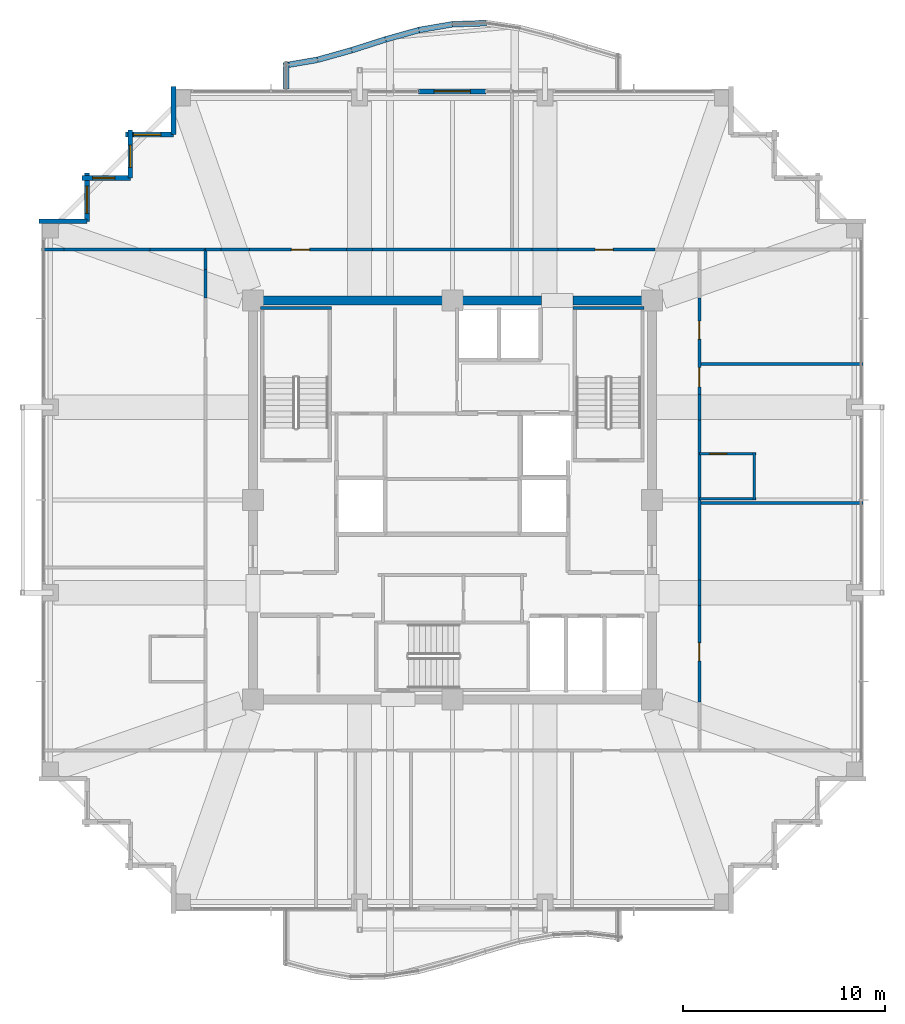
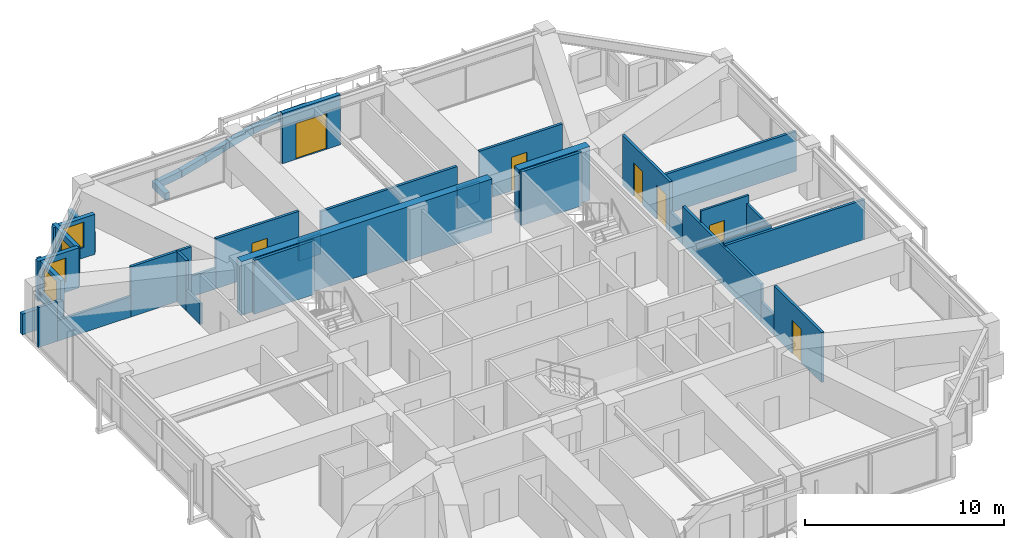
# One storey, part 34 of 37: 40 walls, 7 doors, 4 windows, 11 openings.
"""IFC4 building model written with IfcOpenShell, lengths in metres."""

from ifc_helpers import new_model, si_unit, direction, frame, frame_2d, origin, place, context, subcontext, project, spatial, rectangle, extrude, material, layer, layer_set, type_object, element, fill, save


model = new_model("IFC4")

# Units and contexts
model_context = context("Model", 3, precision=1e-05, world=origin(), true_north=direction((0.0, 1.0)))
body_context = subcontext(model_context, "Body", "Model", "MODEL_VIEW")
ifc_project = project(units=[si_unit("LENGTHUNIT", "METRE"), si_unit("AREAUNIT", "SQUARE_METRE"), si_unit("VOLUMEUNIT", "CUBIC_METRE"), si_unit("PLANEANGLEUNIT", "RADIAN"), si_unit("MASSUNIT", "GRAM", prefix="KILO")], contexts=[model_context])

# Site, building, storey
site_placement = place(None, origin())
site = spatial("IfcSite", under=ifc_project, at=site_placement, CompositionType="ELEMENT")
building_placement = place(site_placement, origin())
building = spatial("IfcBuilding", under=site, at=building_placement, Name="Kolvaren Belvedere", CompositionType="ELEMENT")
storey_placement = place(building_placement, frame((0.0, 0.0, 219.60009765625)))
storey = spatial("IfcBuildingStorey", under=building, at=storey_placement, Name="L64", CompositionType="ELEMENT", Elevation=219.60009765625)

# Walls
ifc_material_1 = material(Name="Concrete C50/60", Category="concrete")
ifc_layer_1 = layer(ifc_material_1, 0.449951171875)
ifc_layer_set_1 = layer_set([ifc_layer_1], Name="Concrete C50/60")
wall_type_1 = type_object("IfcWallType", Name="CW-CORE-450", PredefinedType="SHEAR", material=ifc_layer_set_1)
wall_1_placement = place(storey_placement, frame((-10.125, 9.89990234375, 0.0), z_axis=(0.0, 0.0, 1.0), x_axis=(1.0, 0.0, 0.0)))
element("IfcWall", 1, at=wall_1_placement, inside=storey, type_object=wall_type_1, Name="L64 North Core Shear Wall 1", PredefinedType="SHEAR", context=body_context, shape_type="SweptSolid", body=[
    extrude(rectangle(XDim=14.544921875, YDim=0.449951171875, at=frame_2d((7.2724609375, 0.0))), origin(), (0.0, 0.0, 1.0), 3.2998046875),
])
wall_2_placement = place(storey_placement, frame((5.97998046875, 9.89990234375, 0.0), z_axis=(0.0, 0.0, 1.0), x_axis=(1.0, 0.0, 0.0)))
element("IfcWall", 2, at=wall_2_placement, inside=storey, type_object=wall_type_1, Name="L64 North Core Shear Wall 2", PredefinedType="SHEAR", context=body_context, shape_type="SweptSolid", body=[
    extrude(rectangle(XDim=4.14501953125, YDim=0.449951171875, at=frame_2d((2.072509765625, 0.0))), origin(), (0.0, 0.0, 1.0), 3.2998046875),
])
ifc_material_2 = material(Name="Concrete C50/60", Category="concrete")
ifc_layer_2 = layer(ifc_material_2, 0.159912109375)
ifc_layer_set_2 = layer_set([ifc_layer_2], Name="Concrete C50/60")
wall_type_2 = type_object("IfcWallType", Name="CW-STAIR-160", PredefinedType="SHEAR", material=ifc_layer_set_2)
for number, where, z_axis, x_axis, name in (
    (3, (-9.52001953125, 9.530029296875, 0.0), (0.0, 0.0, 1.0), (1.0, 0.0, 0.0), "L64 Stair ST-1 North Shear Wall"),
    (4, (6.0, 9.530029296875, 0.0), (0.0, 0.0, 1.0), (1.0, 0.0, 0.0), "L64 Stair ST-2 North Shear Wall"),
):
    element("IfcWall", number, at=place(storey_placement, frame(where, z_axis=z_axis, x_axis=x_axis)), inside=storey, type_object=wall_type_2, Name=name, PredefinedType="SHEAR", context=body_context, shape_type="SweptSolid", body=[
        extrude(rectangle(XDim=3.52001953125, YDim=0.159912109375, at=frame_2d((1.760009765625, 0.0))), origin(), (0.0, 0.0, 1.0), 3.2998046875),
    ])
ifc_material_3 = material(Name="Gypsum fire-rated partition assembly", Category="gypsum")
ifc_layer_3 = layer(ifc_material_3, 0.14990234375)
ifc_layer_set_3 = layer_set([ifc_layer_3], Name="Gypsum fire-rated partition assembly")
wall_type_3 = type_object("IfcWallType", Name="WL-CORR-150", PredefinedType="PARTITIONING", material=ifc_layer_set_3)
wall_3_placement = place(storey_placement, frame((-12.260009765625, 12.419921875, 0.0), z_axis=(0.0, 0.0, 1.0), x_axis=(1.0, 0.0, 0.0)))
element("IfcWall", 5, at=wall_3_placement, inside=storey, type_object=wall_type_3, Name="L64 North Corridor Wall", PredefinedType="PARTITIONING", context=body_context, shape_type="SweptSolid", body=[
    extrude(rectangle(XDim=0.77392578125, YDim=0.14990234375, at=frame_2d((0.386962890625, 0.0))), origin(), (0.0, 0.0, 1.0), 3.079833984375),
])
wall_4_placement = place(storey_placement, frame((-11.486083984375, 12.419921875, 0.0), z_axis=(0.0, 0.0, 1.0), x_axis=(1.0, 0.0, 0.0)))
element("IfcWall", 6, at=wall_4_placement, inside=storey, type_object=wall_type_3, Name="L64 North Corridor Wall", PredefinedType="PARTITIONING", context=body_context, shape_type="SweptSolid", body=[
    extrude(rectangle(XDim=1.416748046875, YDim=0.14990234375, at=frame_2d((0.70849609375, 0.0))), origin(), (0.0, 0.0, 1.0), 1.264892578125),
])

# Wall, opening, door
wall_5_placement = place(storey_placement, frame((-10.0693359375, 12.419921875, 0.0), z_axis=(0.0, 0.0, 1.0), x_axis=(1.0, 0.0, 0.0)))
wall_5 = element("IfcWall", 7, at=wall_5_placement, inside=storey, type_object=wall_type_3, Name="L64 North Corridor Wall", PredefinedType="PARTITIONING", context=body_context, shape_type="SweptSolid", body=[
    extrude(rectangle(XDim=4.827392578125, YDim=0.14990234375, at=frame_2d((2.41357421875, 0.0))), origin(), (0.0, 0.0, 1.0), 3.079833984375),
])
opening_1_placement = place(wall_5_placement, frame((2.084228515625, 0.0, 0.0)))
opening_1 = element("IfcOpeningElement", 8, at=opening_1_placement, cuts=wall_5, Name="Opening D-INT90", PredefinedType="OPENING", context=body_context, shape_type="SweptSolid", body=[
    extrude(rectangle(XDim=0.89990234375, YDim=2.06005859375, at=frame_2d((0.449951171875, 1.030029296875))), frame((0.0, 0.0849609375, 0.0), z_axis=(0.0, -1.0, 0.0), x_axis=(1.0, 0.0, 0.0)), (0.0, 0.0, 1.0), 0.169921875),
])
ifc_material_4 = material(Name="Stained Pacific white oak", Category="timber")
door_type_1 = type_object("IfcDoorType", Name="DR-INT-900", OperationType="NOTDEFINED", PredefinedType="DOOR", material=ifc_material_4)
door_1_placement = place(opening_1_placement, origin())
door_1 = element("IfcDoor", 9, at=door_1_placement, inside=storey, type_object=door_type_1, Name="L64 Lounge 6409 Door", OperationType="SINGLE_SWING_LEFT", OverallHeight=2.06005859375, OverallWidth=0.89990234375, PredefinedType="DOOR", context=body_context, shape_type="SweptSolid", body=[
    extrude(rectangle(XDim=0.89990234375, YDim=2.06005859375, at=frame_2d((0.449951171875, 1.030029296875))), frame((0.0, 0.02490234375, 0.0), z_axis=(0.0, -1.0, 0.0), x_axis=(1.0, 0.0, 0.0)), (0.0, 0.0, 1.0), 0.050048828125),
])
fill(opening_1, door_1)

# Walls
wall_6_placement = place(storey_placement, frame((-5.241943359375, 12.419921875, 0.0), z_axis=(0.0, 0.0, 1.0), x_axis=(1.0, 0.0, 0.0)))
element("IfcWall", 10, at=wall_6_placement, inside=storey, type_object=wall_type_3, Name="L64 North Corridor Wall", PredefinedType="PARTITIONING", context=body_context, shape_type="SweptSolid", body=[
    extrude(rectangle(XDim=1.283935546875, YDim=0.14990234375, at=frame_2d((0.64208984375, 0.0))), origin(), (0.0, 0.0, 1.0), 1.264892578125),
])
wall_7_placement = place(storey_placement, frame((-3.9580078125, 12.419921875, 0.0), z_axis=(0.0, 0.0, 1.0), x_axis=(1.0, 0.0, 0.0)))
element("IfcWall", 11, at=wall_7_placement, inside=storey, type_object=wall_type_3, Name="L64 North Corridor Wall", PredefinedType="PARTITIONING", context=body_context, shape_type="SweptSolid", body=[
    extrude(rectangle(XDim=7.916015625, YDim=0.14990234375, at=frame_2d((3.9580078125, 0.0))), origin(), (0.0, 0.0, 1.0), 2.60498046875),
])
wall_8_placement = place(storey_placement, frame((3.9580078125, 12.419921875, 0.0), z_axis=(0.0, 0.0, 1.0), x_axis=(1.0, 0.0, 0.0)))
element("IfcWall", 12, at=wall_8_placement, inside=storey, type_object=wall_type_3, Name="L64 North Corridor Wall", PredefinedType="PARTITIONING", context=body_context, shape_type="SweptSolid", body=[
    extrude(rectangle(XDim=1.283935546875, YDim=0.14990234375, at=frame_2d((0.64208984375, 0.0))), origin(), (0.0, 0.0, 1.0), 1.264892578125),
])

# Wall, opening, door
wall_9_placement = place(storey_placement, frame((5.241943359375, 12.419921875, 0.0), z_axis=(0.0, 0.0, 1.0), x_axis=(1.0, 0.0, 0.0)))
wall_9 = element("IfcWall", 13, at=wall_9_placement, inside=storey, type_object=wall_type_3, Name="L64 North Corridor Wall", PredefinedType="PARTITIONING", context=body_context, shape_type="SweptSolid", body=[
    extrude(rectangle(XDim=4.827392578125, YDim=0.14990234375, at=frame_2d((2.41357421875, 0.0))), origin(), (0.0, 0.0, 1.0), 3.079833984375),
])
opening_2_placement = place(wall_9_placement, frame((1.843017578125, 0.0, 0.0)))
opening_2 = element("IfcOpeningElement", 14, at=opening_2_placement, cuts=wall_9, Name="Opening D-INT90", PredefinedType="OPENING", context=body_context, shape_type="SweptSolid", body=[
    extrude(rectangle(XDim=0.89990234375, YDim=2.06005859375, at=frame_2d((0.449951171875, 1.030029296875))), frame((0.0, 0.0849609375, 0.0), z_axis=(0.0, -1.0, 0.0), x_axis=(1.0, 0.0, 0.0)), (0.0, 0.0, 1.0), 0.169921875),
])
door_2_placement = place(opening_2_placement, origin())
door_2 = element("IfcDoor", 15, at=door_2_placement, inside=storey, type_object=door_type_1, Name="L64 Lounge 6410 Door", OperationType="SINGLE_SWING_RIGHT", OverallHeight=2.06005859375, OverallWidth=0.89990234375, PredefinedType="DOOR", context=body_context, shape_type="SweptSolid", body=[
    extrude(rectangle(XDim=0.89990234375, YDim=2.06005859375, at=frame_2d((0.449951171875, 1.030029296875))), frame((0.0, 0.02490234375, 0.0), z_axis=(0.0, -1.0, 0.0), x_axis=(1.0, 0.0, 0.0)), (0.0, 0.0, 1.0), 0.050048828125),
])
fill(opening_2, door_2)

# Walls
wall_10_placement = place(storey_placement, frame((-12.260009765625, 10.013671875, 0.0), z_axis=(0.0, 0.0, 1.0), x_axis=(0.0, 1.0, 0.0)))
element("IfcWall", 16, at=wall_10_placement, inside=storey, type_object=wall_type_3, Name="L64 West Corridor Wall", PredefinedType="PARTITIONING", context=body_context, shape_type="SweptSolid", body=[
    extrude(rectangle(XDim=1.416748046875, YDim=0.14990234375, at=frame_2d((0.70849609375, 0.0))), origin(), (0.0, 0.0, 1.0), 1.264892578125),
])
wall_11_placement = place(storey_placement, frame((-12.260009765625, 11.430419921875, 0.0), z_axis=(0.0, 0.0, 1.0), x_axis=(0.0, 1.0, 0.0)))
element("IfcWall", 17, at=wall_11_placement, inside=storey, type_object=wall_type_3, Name="L64 West Corridor Wall", PredefinedType="PARTITIONING", context=body_context, shape_type="SweptSolid", body=[
    extrude(rectangle(XDim=0.989501953125, YDim=0.14990234375, at=frame_2d((0.49462890625, 0.0))), origin(), (0.0, 0.0, 1.0), 3.079833984375),
])

# Wall, opening, door
wall_12_placement = place(storey_placement, frame((12.260009765625, -10.013671875, 0.0), z_axis=(0.0, 0.0, 1.0), x_axis=(0.0, 1.0, 0.0)))
wall_12 = element("IfcWall", 18, at=wall_12_placement, inside=storey, type_object=wall_type_3, Name="L64 East Corridor Wall", PredefinedType="PARTITIONING", context=body_context, shape_type="SweptSolid", body=[
    extrude(rectangle(XDim=4.771728515625, YDim=0.14990234375, at=frame_2d((2.3857421875, 0.0))), origin(), (0.0, 0.0, 1.0), 3.079833984375),
])
opening_3_placement = place(wall_12_placement, frame((2.028564453125, 0.0, 0.0)))
opening_3 = element("IfcOpeningElement", 19, at=opening_3_placement, cuts=wall_12, Name="Opening D-INT90", PredefinedType="OPENING", context=body_context, shape_type="SweptSolid", body=[
    extrude(rectangle(XDim=0.89990234375, YDim=2.06005859375, at=frame_2d((0.449951171875, 1.030029296875))), frame((0.0, 0.0849609375, 0.0), z_axis=(0.0, -1.0, 0.0), x_axis=(1.0, 0.0, 0.0)), (0.0, 0.0, 1.0), 0.169921875),
])
door_3_placement = place(opening_3_placement, origin())
door_3 = element("IfcDoor", 20, at=door_3_placement, inside=storey, type_object=door_type_1, Name="L64 Lounge 6404 Door", OperationType="SINGLE_SWING_RIGHT", OverallHeight=2.06005859375, OverallWidth=0.89990234375, PredefinedType="DOOR", context=body_context, shape_type="SweptSolid", body=[
    extrude(rectangle(XDim=0.89990234375, YDim=2.06005859375, at=frame_2d((0.449951171875, 1.030029296875))), frame((0.0, 0.02490234375, 0.0), z_axis=(0.0, -1.0, 0.0), x_axis=(1.0, 0.0, 0.0)), (0.0, 0.0, 1.0), 0.050048828125),
])
fill(opening_3, door_3)

# Walls
wall_13_placement = place(storey_placement, frame((12.260009765625, -5.241943359375, 0.0), z_axis=(0.0, 0.0, 1.0), x_axis=(0.0, 1.0, 0.0)))
element("IfcWall", 21, at=wall_13_placement, inside=storey, type_object=wall_type_3, Name="L64 East Corridor Wall", PredefinedType="PARTITIONING", context=body_context, shape_type="SweptSolid", body=[
    extrude(rectangle(XDim=1.283935546875, YDim=0.14990234375, at=frame_2d((0.64208984375, 0.0))), origin(), (0.0, 0.0, 1.0), 1.264892578125),
])
wall_14_placement = place(storey_placement, frame((12.260009765625, -3.9580078125, 0.0), z_axis=(0.0, 0.0, 1.0), x_axis=(0.0, 1.0, 0.0)))
element("IfcWall", 22, at=wall_14_placement, inside=storey, type_object=wall_type_3, Name="L64 East Corridor Wall", PredefinedType="PARTITIONING", context=body_context, shape_type="SweptSolid", body=[
    extrude(rectangle(XDim=7.916015625, YDim=0.14990234375, at=frame_2d((3.9580078125, 0.0))), origin(), (0.0, 0.0, 1.0), 2.368896484375),
])
wall_15_placement = place(storey_placement, frame((12.260009765625, 3.9580078125, 0.0), z_axis=(0.0, 0.0, 1.0), x_axis=(0.0, 1.0, 0.0)))
element("IfcWall", 23, at=wall_15_placement, inside=storey, type_object=wall_type_3, Name="L64 East Corridor Wall", PredefinedType="PARTITIONING", context=body_context, shape_type="SweptSolid", body=[
    extrude(rectangle(XDim=1.283935546875, YDim=0.14990234375, at=frame_2d((0.64208984375, 0.0))), origin(), (0.0, 0.0, 1.0), 1.264892578125),
])

# Wall, openings, doors
wall_16_placement = place(storey_placement, frame((12.260009765625, 5.241943359375, 0.0), z_axis=(0.0, 0.0, 1.0), x_axis=(0.0, 1.0, 0.0)))
wall_16 = element("IfcWall", 24, at=wall_16_placement, inside=storey, type_object=wall_type_3, Name="L64 East Corridor Wall", PredefinedType="PARTITIONING", context=body_context, shape_type="SweptSolid", body=[
    extrude(rectangle(XDim=4.771728515625, YDim=0.14990234375, at=frame_2d((2.3857421875, 0.0))), origin(), (0.0, 0.0, 1.0), 3.079833984375),
])
opening_4_placement = place(wall_16_placement, frame((0.376220703125, 0.0, 0.0)))
opening_4 = element("IfcOpeningElement", 25, at=opening_4_placement, cuts=wall_16, Name="Opening D-FD60", PredefinedType="OPENING", context=body_context, shape_type="SweptSolid", body=[
    extrude(rectangle(XDim=0.949951171875, YDim=2.06005859375, at=frame_2d((0.47509765625, 1.030029296875))), frame((0.0, 0.0849609375, 0.0), z_axis=(0.0, -1.0, 0.0), x_axis=(1.0, 0.0, 0.0)), (0.0, 0.0, 1.0), 0.169921875),
])
opening_5_placement = place(wall_16_placement, frame((2.736083984375, 0.0, 0.0)))
opening_5 = element("IfcOpeningElement", 26, at=opening_5_placement, cuts=wall_16, Name="Opening D-INT90", PredefinedType="OPENING", context=body_context, shape_type="SweptSolid", body=[
    extrude(rectangle(XDim=0.89990234375, YDim=2.06005859375, at=frame_2d((0.449951171875, 1.030029296875))), frame((0.0, 0.0849609375, 0.0), z_axis=(0.0, -1.0, 0.0), x_axis=(1.0, 0.0, 0.0)), (0.0, 0.0, 1.0), 0.169921875),
])
ifc_material_5 = material(Name="Acoustic white-oak fire door leaf", Category="timber")
door_type_2 = type_object("IfcDoorType", Name="DR-FD60-950", OperationType="NOTDEFINED", PredefinedType="DOOR", material=ifc_material_5)
door_4_placement = place(opening_4_placement, origin())
door_4 = element("IfcDoor", 27, at=door_4_placement, inside=storey, type_object=door_type_2, Name="L64 King Guest Room 6405 Entry Door", OperationType="SINGLE_SWING_RIGHT", OverallHeight=2.06005859375, OverallWidth=0.949951171875, PredefinedType="DOOR", context=body_context, shape_type="SweptSolid", body=[
    extrude(rectangle(XDim=0.949951171875, YDim=2.06005859375, at=frame_2d((0.47509765625, 1.030029296875))), frame((0.0, 0.02490234375, 0.0), z_axis=(0.0, -1.0, 0.0), x_axis=(1.0, 0.0, 0.0)), (0.0, 0.0, 1.0), 0.050048828125),
])
fill(opening_4, door_4)
door_5_placement = place(opening_5_placement, origin())
door_5 = element("IfcDoor", 28, at=door_5_placement, inside=storey, type_object=door_type_1, Name="L64 Lounge 6406 Door", OperationType="SINGLE_SWING_LEFT", OverallHeight=2.06005859375, OverallWidth=0.89990234375, PredefinedType="DOOR", context=body_context, shape_type="SweptSolid", body=[
    extrude(rectangle(XDim=0.89990234375, YDim=2.06005859375, at=frame_2d((0.449951171875, 1.030029296875))), frame((0.0, 0.02490234375, 0.0), z_axis=(0.0, -1.0, 0.0), x_axis=(1.0, 0.0, 0.0)), (0.0, 0.0, 1.0), 0.050048828125),
])
fill(opening_5, door_5)

# Wall, opening, door
ifc_material_6 = material(Name="Insulated pale-metal facade wall assembly", Category="aluminium")
ifc_layer_4 = layer(ifc_material_6, 0.239990234375)
ifc_layer_set_4 = layer_set([ifc_layer_4], Name="Insulated pale-metal facade wall assembly")
wall_type_4 = type_object("IfcWallType", Name="WL-EXT-240", PredefinedType="STANDARD", material=ifc_layer_set_4)
wall_17_placement = place(storey_placement, frame((-1.679931640625, 20.280029296875, 0.0), z_axis=(0.0, 0.0, 1.0), x_axis=(1.0, 0.0, 0.0)))
wall_17 = element("IfcWall", 29, at=wall_17_placement, inside=storey, type_object=wall_type_4, Name="L64 North Terrace Portal Wall", PredefinedType="STANDARD", context=body_context, shape_type="SweptSolid", body=[
    extrude(rectangle(XDim=3.35986328125, YDim=0.239990234375, at=frame_2d((1.679931640625, 0.0))), origin(), (0.0, 0.0, 1.0), 3.079833984375),
])
opening_6_placement = place(wall_17_placement, frame((0.780029296875, 0.0, 0.0)))
opening_6 = element("IfcOpeningElement", 30, at=opening_6_placement, cuts=wall_17, Name="Opening DB-1800", PredefinedType="OPENING", context=body_context, shape_type="SweptSolid", body=[
    extrude(rectangle(XDim=1.800048828125, YDim=2.199951171875, at=frame_2d((0.89990234375, 1.10009765625))), frame((0.0, 0.1298828125, 0.0), z_axis=(0.0, -1.0, 0.0), x_axis=(1.0, 0.0, 0.0)), (0.0, 0.0, 1.0), 0.260009765625),
])
ifc_material_7 = material(Name="Thermally broken pale-metal aluminium & low-iron glass", Category="aluminium")
door_type_3 = type_object("IfcDoorType", Name="DR-BAL-1800", OperationType="DOUBLE_DOOR_SLIDING", PredefinedType="DOOR", material=ifc_material_7)
door_6_placement = place(opening_6_placement, origin())
door_6 = element("IfcDoor", 31, at=door_6_placement, inside=storey, type_object=door_type_3, Name="L64 North Planted Terrace Sliding Door", OperationType="DOUBLE_DOOR_SLIDING", OverallHeight=2.199951171875, OverallWidth=1.800048828125, PredefinedType="DOOR", context=body_context, shape_type="SweptSolid", body=[
    extrude(rectangle(XDim=1.800048828125, YDim=2.199951171875, at=frame_2d((0.89990234375, 1.10009765625))), frame((0.0, 0.02490234375, 0.0), z_axis=(0.0, -1.0, 0.0), x_axis=(1.0, 0.0, 0.0)), (0.0, 0.0, 1.0), 0.050048828125),
])
fill(opening_6, door_6)

# Wall
wall_18_placement = place(storey_placement, frame((-13.830078125, 18.1298828125, 0.0), z_axis=(0.0, 0.0, 1.0), x_axis=(0.0, 1.0, 0.0)))
element("IfcWall", 32, at=wall_18_placement, inside=storey, type_object=wall_type_4, Name="L64 Serrated Corner Facade Wall 16", PredefinedType="STANDARD", context=body_context, shape_type="SweptSolid", body=[
    extrude(rectangle(XDim=2.39013671875, YDim=0.239990234375, at=frame_2d((1.195068359375, 0.0))), origin(), (0.0, 0.0, 1.0), 1.27490234375),
])

# Wall, opening, window
wall_19_placement = place(storey_placement, frame((-16.219970703125, 18.1298828125, 0.0), z_axis=(0.0, 0.0, 1.0), x_axis=(1.0, 0.0, 0.0)))
wall_19 = element("IfcWall", 33, at=wall_19_placement, inside=storey, type_object=wall_type_4, Name="L64 Serrated Corner Facade Wall 17", PredefinedType="STANDARD", context=body_context, shape_type="SweptSolid", body=[
    extrude(rectangle(XDim=2.389892578125, YDim=0.239990234375, at=frame_2d((1.19482421875, 0.0))), origin(), (0.0, 0.0, 1.0), 2.462890625),
])
opening_7_placement = place(wall_19_placement, frame((0.39990234375, 0.0, 0.64990234375)))
opening_7 = element("IfcOpeningElement", 34, at=opening_7_placement, cuts=wall_19, Name="Opening W-1350", PredefinedType="OPENING", context=body_context, shape_type="SweptSolid", body=[
    extrude(rectangle(XDim=1.35009765625, YDim=1.550048828125, at=frame_2d((0.675048828125, 0.77490234375))), frame((0.0, 0.1298828125, 0.0), z_axis=(0.0, -1.0, 0.0), x_axis=(1.0, 0.0, 0.0)), (0.0, 0.0, 1.0), 0.260009765625),
])
ifc_material_8 = material(Name="Low-iron triple insulated glass", Category="glass")
window_type_1 = type_object("IfcWindowType", Name="WN-CORN-1350", PartitioningType="SINGLE_PANEL", PredefinedType="WINDOW", material=ifc_material_8)
window_1_placement = place(opening_7_placement, origin())
window_1 = element("IfcWindow", 35, at=window_1_placement, inside=storey, type_object=window_type_1, Name="L64 Serrated Corner Vision Window 17", OverallHeight=1.550048828125, OverallWidth=1.35009765625, PartitioningType="SINGLE_PANEL", PredefinedType="WINDOW", context=body_context, shape_type="SweptSolid", body=[
    extrude(rectangle(XDim=1.35009765625, YDim=1.550048828125, at=frame_2d((0.675048828125, 0.77490234375))), frame((0.0, 0.030029296875, 0.0), z_axis=(0.0, -1.0, 0.0), x_axis=(1.0, 0.0, 0.0)), (0.0, 0.0, 1.0), 0.06005859375),
])
fill(opening_7, window_1)

wall_20_placement = place(storey_placement, frame((-15.97998046875, 15.97998046875, 0.0), z_axis=(0.0, 0.0, 1.0), x_axis=(0.0, 1.0, 0.0)))
wall_20 = element("IfcWall", 36, at=wall_20_placement, inside=storey, type_object=wall_type_4, Name="L64 Serrated Corner Facade Wall 18", PredefinedType="STANDARD", context=body_context, shape_type="SweptSolid", body=[
    extrude(rectangle(XDim=2.39013671875, YDim=0.239990234375, at=frame_2d((1.195068359375, 0.0))), origin(), (0.0, 0.0, 1.0), 2.462890625),
])
opening_8_placement = place(wall_20_placement, frame((0.52490234375, 0.0, 0.64990234375)))
opening_8 = element("IfcOpeningElement", 37, at=opening_8_placement, cuts=wall_20, Name="Opening W-1100", PredefinedType="OPENING", context=body_context, shape_type="SweptSolid", body=[
    extrude(rectangle(XDim=1.10009765625, YDim=1.449951171875, at=frame_2d((0.550048828125, 0.72509765625))), frame((0.0, 0.1298828125, 0.0), z_axis=(0.0, -1.0, 0.0), x_axis=(1.0, 0.0, 0.0)), (0.0, 0.0, 1.0), 0.260009765625),
])
ifc_material_9 = material(Name="Low-iron triple insulated glass", Category="glass")
window_type_2 = type_object("IfcWindowType", Name="WN-CORN-1100", PartitioningType="SINGLE_PANEL", PredefinedType="WINDOW", material=ifc_material_9)
window_2_placement = place(opening_8_placement, origin())
window_2 = element("IfcWindow", 38, at=window_2_placement, inside=storey, type_object=window_type_2, Name="L64 Serrated Corner Vision Window 18", OverallHeight=1.449951171875, OverallWidth=1.10009765625, PartitioningType="SINGLE_PANEL", PredefinedType="WINDOW", context=body_context, shape_type="SweptSolid", body=[
    extrude(rectangle(XDim=1.10009765625, YDim=1.449951171875, at=frame_2d((0.550048828125, 0.72509765625))), frame((0.0, 0.030029296875, 0.0), z_axis=(0.0, -1.0, 0.0), x_axis=(1.0, 0.0, 0.0)), (0.0, 0.0, 1.0), 0.06005859375),
])
fill(opening_8, window_2)

wall_21_placement = place(storey_placement, frame((-18.3701171875, 15.97998046875, 0.0), z_axis=(0.0, 0.0, 1.0), x_axis=(1.0, 0.0, 0.0)))
wall_21 = element("IfcWall", 39, at=wall_21_placement, inside=storey, type_object=wall_type_4, Name="L64 Serrated Corner Facade Wall 19", PredefinedType="STANDARD", context=body_context, shape_type="SweptSolid", body=[
    extrude(rectangle(XDim=2.39013671875, YDim=0.239990234375, at=frame_2d((1.195068359375, 0.0))), origin(), (0.0, 0.0, 1.0), 2.462890625),
])
opening_9_placement = place(wall_21_placement, frame((0.52490234375, 0.0, 0.64990234375)))
opening_9 = element("IfcOpeningElement", 40, at=opening_9_placement, cuts=wall_21, Name="Opening W-1100", PredefinedType="OPENING", context=body_context, shape_type="SweptSolid", body=[
    extrude(rectangle(XDim=1.10009765625, YDim=1.449951171875, at=frame_2d((0.550048828125, 0.72509765625))), frame((0.0, 0.1298828125, 0.0), z_axis=(0.0, -1.0, 0.0), x_axis=(1.0, 0.0, 0.0)), (0.0, 0.0, 1.0), 0.260009765625),
])
window_3_placement = place(opening_9_placement, origin())
window_3 = element("IfcWindow", 41, at=window_3_placement, inside=storey, type_object=window_type_2, Name="L64 Serrated Corner Vision Window 19", OverallHeight=1.449951171875, OverallWidth=1.10009765625, PartitioningType="SINGLE_PANEL", PredefinedType="WINDOW", context=body_context, shape_type="SweptSolid", body=[
    extrude(rectangle(XDim=1.10009765625, YDim=1.449951171875, at=frame_2d((0.550048828125, 0.72509765625))), frame((0.0, 0.030029296875, 0.0), z_axis=(0.0, -1.0, 0.0), x_axis=(1.0, 0.0, 0.0)), (0.0, 0.0, 1.0), 0.06005859375),
])
fill(opening_9, window_3)

wall_22_placement = place(storey_placement, frame((-18.1298828125, 13.830078125, 0.0), z_axis=(0.0, 0.0, 1.0), x_axis=(0.0, 1.0, 0.0)))
wall_22 = element("IfcWall", 42, at=wall_22_placement, inside=storey, type_object=wall_type_4, Name="L64 Serrated Corner Facade Wall 20", PredefinedType="STANDARD", context=body_context, shape_type="SweptSolid", body=[
    extrude(rectangle(XDim=2.389892578125, YDim=0.239990234375, at=frame_2d((1.19482421875, 0.0))), origin(), (0.0, 0.0, 1.0), 2.462890625),
])
opening_10_placement = place(wall_22_placement, frame((0.39990234375, 0.0, 0.64990234375)))
opening_10 = element("IfcOpeningElement", 43, at=opening_10_placement, cuts=wall_22, Name="Opening W-1350", PredefinedType="OPENING", context=body_context, shape_type="SweptSolid", body=[
    extrude(rectangle(XDim=1.35009765625, YDim=1.550048828125, at=frame_2d((0.675048828125, 0.77490234375))), frame((0.0, 0.1298828125, 0.0), z_axis=(0.0, -1.0, 0.0), x_axis=(1.0, 0.0, 0.0)), (0.0, 0.0, 1.0), 0.260009765625),
])
window_4_placement = place(opening_10_placement, origin())
window_4 = element("IfcWindow", 44, at=window_4_placement, inside=storey, type_object=window_type_1, Name="L64 Serrated Corner Vision Window 20", OverallHeight=1.550048828125, OverallWidth=1.35009765625, PartitioningType="SINGLE_PANEL", PredefinedType="WINDOW", context=body_context, shape_type="SweptSolid", body=[
    extrude(rectangle(XDim=1.35009765625, YDim=1.550048828125, at=frame_2d((0.675048828125, 0.77490234375))), frame((0.0, 0.030029296875, 0.0), z_axis=(0.0, -1.0, 0.0), x_axis=(1.0, 0.0, 0.0)), (0.0, 0.0, 1.0), 0.06005859375),
])
fill(opening_10, window_4)

# Walls
wall_23_placement = place(storey_placement, frame((-20.52001953125, 13.830078125, 0.0), z_axis=(0.0, 0.0, 1.0), x_axis=(1.0, 0.0, 0.0)))
element("IfcWall", 45, at=wall_23_placement, inside=storey, type_object=wall_type_4, Name="L64 Serrated Corner Facade Wall 21", PredefinedType="STANDARD", context=body_context, shape_type="SweptSolid", body=[
    extrude(rectangle(XDim=2.39013671875, YDim=0.239990234375, at=frame_2d((1.195068359375, 0.0))), origin(), (0.0, 0.0, 1.0), 1.27490234375),
])
ifc_material_10 = material(Name="Gypsum acoustic partition assembly", Category="gypsum")
ifc_layer_5 = layer(ifc_material_10, 0.14990234375)
ifc_layer_set_5 = layer_set([ifc_layer_5], Name="Gypsum acoustic partition assembly")
wall_type_5 = type_object("IfcWallType", Name="WL-PART-150", PredefinedType="PARTITIONING", material=ifc_layer_set_5)
wall_24_placement = place(storey_placement, frame((-20.3798828125, 12.419921875, 0.0), z_axis=(0.0, 0.0, 1.0), x_axis=(1.0, 0.0, 0.0)))
element("IfcWall", 46, at=wall_24_placement, inside=storey, type_object=wall_type_5, Name="L64 Wing Divider PW-L64-QNW", PredefinedType="PARTITIONING", context=body_context, shape_type="SweptSolid", body=[
    extrude(rectangle(XDim=1.103271484375, YDim=0.14990234375, at=frame_2d((0.5517578125, 0.0))), origin(), (0.0, 0.0, 1.0), 2.452880859375),
])
wall_25_placement = place(storey_placement, frame((-19.276611328125, 12.419921875, 0.0), z_axis=(0.0, 0.0, 1.0), x_axis=(1.0, 0.0, 0.0)))
element("IfcWall", 47, at=wall_25_placement, inside=storey, type_object=wall_type_5, Name="L64 Wing Divider PW-L64-QNW", PredefinedType="PARTITIONING", context=body_context, shape_type="SweptSolid", body=[
    extrude(rectangle(XDim=4.28125, YDim=0.14990234375, at=frame_2d((2.140625, 0.0))), origin(), (0.0, 0.0, 1.0), 1.264892578125),
])
wall_26_placement = place(storey_placement, frame((-14.995361328125, 12.419921875, 0.0), z_axis=(0.0, 0.0, 1.0), x_axis=(1.0, 0.0, 0.0)))
element("IfcWall", 48, at=wall_26_placement, inside=storey, type_object=wall_type_5, Name="L64 Wing Divider PW-L64-QNW", PredefinedType="PARTITIONING", context=body_context, shape_type="SweptSolid", body=[
    extrude(rectangle(XDim=2.7353515625, YDim=0.14990234375, at=frame_2d((1.36767578125, 0.0))), origin(), (0.0, 0.0, 1.0), 3.079833984375),
])
for number, where, z_axis, x_axis, name in (
    (49, (12.260009765625, -0.139892578125, 0.0), (0.0, 0.0, 1.0), (1.0, 0.0, 0.0), "L64 East Suite Demising Wall 1"),
    (50, (12.260009765625, 6.760009765625, 0.0), (0.0, 0.0, 1.0), (1.0, 0.0, 0.0), "L64 East Suite Demising Wall 2"),
):
    element("IfcWall", number, at=place(storey_placement, frame(where, z_axis=z_axis, x_axis=x_axis)), inside=storey, type_object=wall_type_5, Name=name, PredefinedType="PARTITIONING", context=body_context, shape_type="SweptSolid", body=[
        extrude(rectangle(XDim=8.119873046875, YDim=0.14990234375, at=frame_2d((4.06005859375, 0.0))), origin(), (0.0, 0.0, 1.0), 2.452880859375),
    ])
ifc_material_11 = material(Name="Precast concrete C40/50", Category="concrete")
ifc_layer_6 = layer(ifc_material_11, 0.300048828125)
ifc_layer_set_6 = layer_set([ifc_layer_6], Name="Precast concrete C40/50")
wall_type_6 = type_object("IfcWallType", Name="WL-PLANTER-300", PredefinedType="PARAPET", material=ifc_layer_set_6)
wall_27_placement = place(storey_placement, frame((1.68505859375, 23.66015625, -0.0400390625), z_axis=(0.0, 0.0, 1.0), x_axis=(-0.999503251643, -0.031515868295, 0.0)))
element("IfcWall", 51, at=wall_27_placement, inside=storey, type_object=wall_type_6, Name="L64 Precast Structural Planter Wall BAL-N-16", PredefinedType="PARAPET", context=body_context, shape_type="SweptSolid", body=[
    extrude(rectangle(XDim=1.680908203125, YDim=0.280029296875, at=frame_2d((0.84033203125, 0.0))), origin(), (0.0, 0.0, 1.0), 0.419921875),
])
wall_28_placement = place(storey_placement, frame((0.027099609375, 23.609375, -0.0400390625), z_axis=(0.0, 0.0, 1.0), x_axis=(-0.985640648378, -0.168856484225, 0.0)))
element("IfcWall", 52, at=wall_28_placement, inside=storey, type_object=wall_type_6, Name="L64 Precast Structural Planter Wall BAL-N-17", PredefinedType="PARAPET", context=body_context, shape_type="SweptSolid", body=[
    extrude(rectangle(XDim=1.70458984375, YDim=0.280029296875, at=frame_2d((0.852294921875, 0.0))), origin(), (0.0, 0.0, 1.0), 0.419921875),
])
wall_29_placement = place(storey_placement, frame((-1.63671875, 23.3251953125, -0.0400390625), z_axis=(0.0, 0.0, 1.0), x_axis=(-0.962926227834, -0.269764860108, 0.0)))
element("IfcWall", 53, at=wall_29_placement, inside=storey, type_object=wall_type_6, Name="L64 Precast Structural Planter Wall BAL-N-18", PredefinedType="PARAPET", context=body_context, shape_type="SweptSolid", body=[
    extrude(rectangle(XDim=1.744873046875, YDim=0.280029296875, at=frame_2d((0.87255859375, 0.0))), origin(), (0.0, 0.0, 1.0), 0.419921875),
])
wall_30_placement = place(storey_placement, frame((-3.311279296875, 22.856201171875, -0.0400390625), z_axis=(0.0, 0.0, 1.0), x_axis=(-0.952501264923, -0.304534629099, 0.0)))
element("IfcWall", 54, at=wall_30_placement, inside=storey, type_object=wall_type_6, Name="L64 Precast Structural Planter Wall BAL-N-19", PredefinedType="PARAPET", context=body_context, shape_type="SweptSolid", body=[
    extrude(rectangle(XDim=1.763671875, YDim=0.280029296875, at=frame_2d((0.8818359375, 0.0))), origin(), (0.0, 0.0, 1.0), 0.419921875),
])
wall_31_placement = place(storey_placement, frame((-4.996826171875, 22.3173828125, -0.0400390625), z_axis=(0.0, 0.0, 1.0), x_axis=(-0.962916043401, -0.269801210823, 0.0)))
element("IfcWall", 55, at=wall_31_placement, inside=storey, type_object=wall_type_6, Name="L64 Precast Structural Planter Wall BAL-N-20", PredefinedType="PARAPET", context=body_context, shape_type="SweptSolid", body=[
    extrude(rectangle(XDim=1.74462890625, YDim=0.280029296875, at=frame_2d((0.872314453125, 0.0))), origin(), (0.0, 0.0, 1.0), 0.419921875),
])
wall_32_placement = place(storey_placement, frame((-6.693115234375, 21.843017578125, -0.0400390625), z_axis=(0.0, 0.0, 1.0), x_axis=(-0.985636563949, -0.16888032392, 0.0)))
element("IfcWall", 56, at=wall_32_placement, inside=storey, type_object=wall_type_6, Name="L64 Precast Structural Planter Wall BAL-N-21", PredefinedType="PARAPET", context=body_context, shape_type="SweptSolid", body=[
    extrude(rectangle(XDim=1.704345703125, YDim=0.280029296875, at=frame_2d((0.85205078125, 0.0))), origin(), (0.0, 0.0, 1.0), 0.419921875),
])
wall_33_placement = place(storey_placement, frame((-8.239990234375, 21.712890625, -0.0400390625), z_axis=(0.0, 0.0, 1.0), x_axis=(0.0, -1.0, 0.0)))
element("IfcWall", 57, at=wall_33_placement, inside=storey, type_object=wall_type_6, Name="L64 Precast Structural Planter Wall BAL-N-22", PredefinedType="PARAPET", context=body_context, shape_type="SweptSolid", body=[
    extrude(rectangle(XDim=1.31298828125, YDim=0.280029296875, at=frame_2d((0.656494140625, 0.0))), origin(), (0.0, 0.0, 1.0), 0.419921875),
])

# Wall, opening, door
ifc_material_12 = material(Name="Moisture-resistant gypsum partition", Category="gypsum")
ifc_layer_7 = layer(ifc_material_12, 0.125)
ifc_layer_set_7 = layer_set([ifc_layer_7], Name="Moisture-resistant gypsum partition")
wall_type_7 = type_object("IfcWallType", Name="WL-WET-125", PredefinedType="PARTITIONING", material=ifc_layer_set_7)
wall_34_placement = place(storey_placement, frame((12.27490234375, 2.304931640625, 0.0), z_axis=(0.0, 0.0, 1.0), x_axis=(1.0, 0.0, 0.0)))
wall_34 = element("IfcWall", 58, at=wall_34_placement, inside=storey, type_object=wall_type_7, Name="L64 Bathroom Partition PW-L64-BTH-5-N", PredefinedType="PARTITIONING", context=body_context, shape_type="SweptSolid", body=[
    extrude(rectangle(XDim=2.7900390625, YDim=0.125, at=frame_2d((1.39501953125, 0.0))), origin(), (0.0, 0.0, 1.0), 3.079833984375),
])
opening_11_placement = place(wall_34_placement, frame((0.5, 0.0, 0.0)))
opening_11 = element("IfcOpeningElement", 59, at=opening_11_placement, cuts=wall_34, Name="Opening D-BTH85", PredefinedType="OPENING", context=body_context, shape_type="SweptSolid", body=[
    extrude(rectangle(XDim=0.85009765625, YDim=2.030029296875, at=frame_2d((0.425048828125, 1.01513671875))), frame((0.0, 0.072509765625, 0.0), z_axis=(0.0, -1.0, 0.0), x_axis=(1.0, 0.0, 0.0)), (0.0, 0.0, 1.0), 0.14501953125),
])
ifc_material_13 = material(Name="Moisture-sealed Pacific white oak", Category="timber")
door_type_4 = type_object("IfcDoorType", Name="DR-BATH-850", OperationType="NOTDEFINED", PredefinedType="DOOR", material=ifc_material_13)
door_7_placement = place(opening_11_placement, origin())
door_7 = element("IfcDoor", 60, at=door_7_placement, inside=storey, type_object=door_type_4, Name="L64 En-Suite Bathroom 6405 Door", OperationType="SINGLE_SWING_LEFT", OverallHeight=2.030029296875, OverallWidth=0.85009765625, PredefinedType="DOOR", context=body_context, shape_type="SweptSolid", body=[
    extrude(rectangle(XDim=0.85009765625, YDim=2.030029296875, at=frame_2d((0.425048828125, 1.01513671875))), frame((0.0, 0.02490234375, 0.0), z_axis=(0.0, -1.0, 0.0), x_axis=(1.0, 0.0, 0.0)), (0.0, 0.0, 1.0), 0.050048828125),
])
fill(opening_11, door_7)

# Walls
wall_35_placement = place(storey_placement, frame((14.985107421875, -0.0048828125, 0.0), z_axis=(0.0, 0.0, 1.0), x_axis=(0.0, 1.0, 0.0)))
element("IfcWall", 61, at=wall_35_placement, inside=storey, type_object=wall_type_7, Name="L64 Bathroom Partition PW-L64-BTH-5-V", PredefinedType="PARTITIONING", context=body_context, shape_type="SweptSolid", body=[
    extrude(rectangle(XDim=2.369873046875, YDim=0.125, at=frame_2d((1.18505859375, 0.0))), origin(), (0.0, 0.0, 1.0), 2.60498046875),
])
wall_36_placement = place(storey_placement, frame((12.27490234375, 0.054931640625, 0.0), z_axis=(0.0, 0.0, 1.0), x_axis=(1.0, 0.0, 0.0)))
element("IfcWall", 62, at=wall_36_placement, inside=storey, type_object=wall_type_7, Name="L64 Bathroom Partition PW-L64-BTH-5-S", PredefinedType="PARTITIONING", context=body_context, shape_type="SweptSolid", body=[
    extrude(rectangle(XDim=2.7900390625, YDim=0.125, at=frame_2d((1.39501953125, 0.0))), origin(), (0.0, 0.0, 1.0), 2.60498046875),
])

save(model, "model.ifc")
